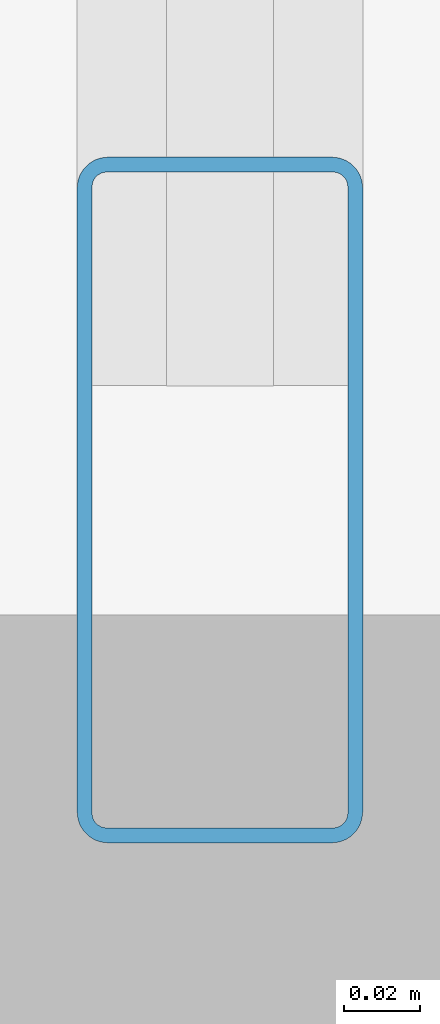
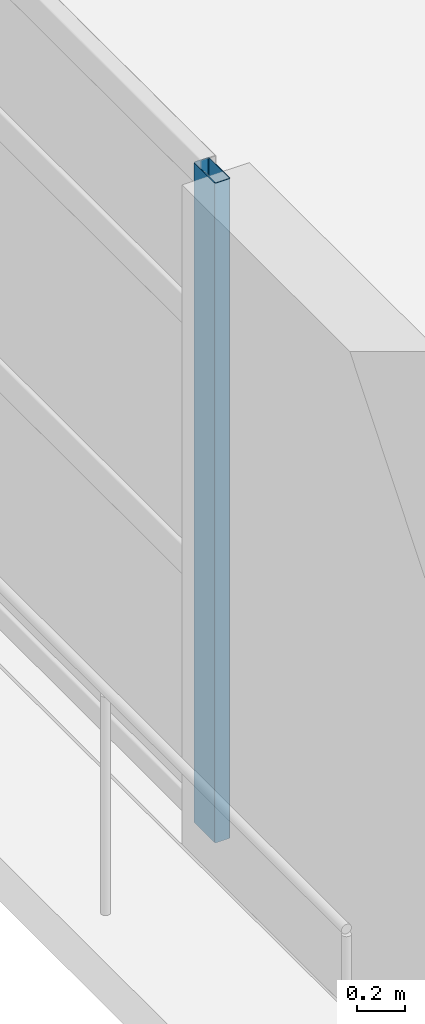
# One storey, part 3 of 24: 1 member, 1 element without a shape of its own.
"""IFC4 building model written with IfcOpenShell, lengths in metres."""

from ifc_helpers import new_model, si_unit, direction, frame, origin, origin_2d, place, context, subcontext, project, spatial, hollow_rectangle, extrude, material, layer, layer_set, material_profile, profile_set, type_object, element, aggregate, save


model = new_model("IFC4")

# Units and contexts
model_context = context("Model", 3, precision=1e-05, world=origin(), true_north=direction((0.0, 1.0)))
body_context = subcontext(model_context, "Body", "Model", "MODEL_VIEW")
ifc_project = project(units=[si_unit("LENGTHUNIT", "METRE"), si_unit("AREAUNIT", "SQUARE_METRE"), si_unit("VOLUMEUNIT", "CUBIC_METRE"), si_unit("PLANEANGLEUNIT", "RADIAN"), si_unit("MASSUNIT", "GRAM", prefix="KILO")], contexts=[model_context])

# Site, building, storey
site_placement = place(None, origin())
site = spatial("IfcSite", under=ifc_project, at=site_placement, CompositionType="ELEMENT")
building_placement = place(site_placement, origin())
building = spatial("IfcBuilding", under=site, at=building_placement, Name="Qingluan Cross Belvedere", CompositionType="ELEMENT")
storey_placement = place(building_placement, frame((0.0, 0.0, 14.699951171875)))
storey = spatial("IfcBuildingStorey", under=building, at=storey_placement, Name="L04", CompositionType="ELEMENT", Elevation=14.699951171875)

# Curtain wall, member
ifc_material_1 = material(Name="Thermally broken aluminium and Low-E glass", Category="aluminium")
ifc_layer = layer(ifc_material_1, 0.219970703125, Name="UnitisedCW_BallroomFoyer")
ifc_layer_set = layer_set([ifc_layer], Name="Thermally broken aluminium and Low-E glass")
curtain_wall_type = type_object("IfcCurtainWallType", Name="UnitisedCW_BallroomFoyer", PredefinedType="USERDEFINED", material=ifc_layer_set)
curtain_wall_placement = place(storey_placement, origin())
curtain_wall = element("IfcCurtainWall", 1, at=curtain_wall_placement, inside=storey, type_object=curtain_wall_type, Name="UnitisedCW_BallroomFoyer run env:cw:L04:W", ObjectType="UNITISED CURTAIN WALL", PredefinedType="USERDEFINED")
ifc_material_2 = material(Name="Aluminium alloy 6063-T6", Category="aluminium")
ifc_material_profile = material_profile(ifc_material_2, hollow_rectangle(XDim=0.074951171875, YDim=0.179931640625, WallThickness=0.00390625, InnerFilletRadius=0.00390625, OuterFilletRadius=0.008056640625, at=origin_2d()), Name="CWM180x75x4")
ifc_profile_set = profile_set([ifc_material_profile], Name="Aluminium alloy 6063-T6")
member_type = type_object("IfcMemberType", Name="CWMullion_180", PredefinedType="MULLION", material=ifc_profile_set)
member_placement = place(storey_placement, frame((-36.93994140625, -5.969970703125, 0.0), z_axis=(0.0, 0.0, 1.0), x_axis=(-1.0, 0.0, 0.0)))
member = element("IfcMember", 2, at=member_placement, type_object=member_type, Name="CW-P2 mullion 1", PredefinedType="MULLION", context=body_context, shape_type="SweptSolid", body=[
    extrude(hollow_rectangle(XDim=0.074951171875, YDim=0.179931640625, WallThickness=0.00390625, InnerFilletRadius=0.00390625, OuterFilletRadius=0.008056640625, at=origin_2d()), origin(), (0.0, 0.0, 1.0), 3.330078125),
])
aggregate(curtain_wall, [member])

save(model, "model.ifc")
